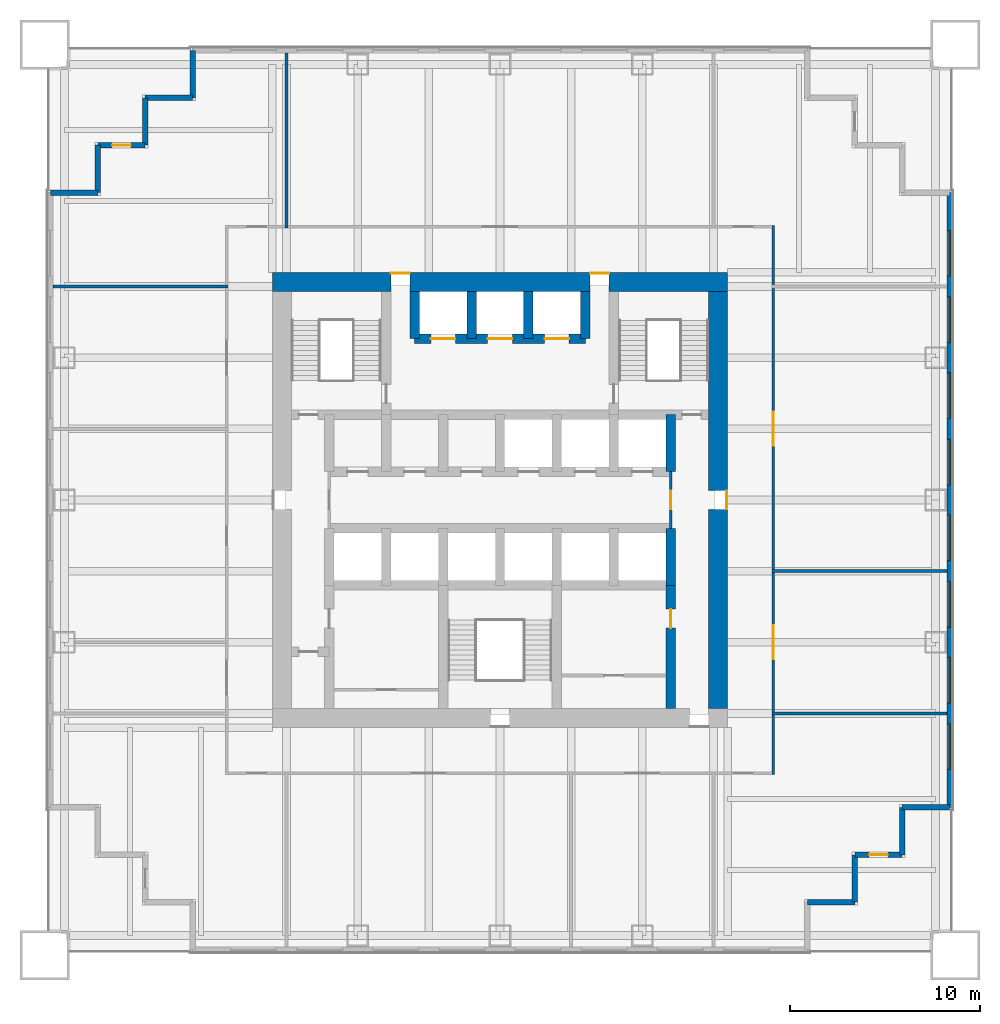
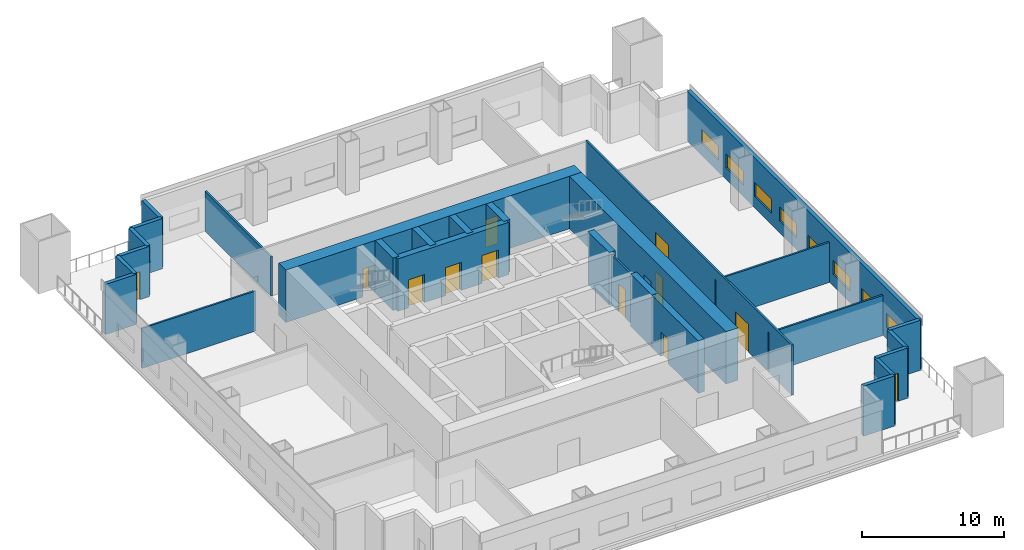
# One storey, part 4 of 6: 28 walls, 12 doors, 8 windows, 20 openings.
"""IFC4 building model written with IfcOpenShell, lengths in metres."""

import ifcopenshell
import ifcopenshell.guid

model = None  # the IFC model being written
_history = None  # IfcOwnerHistory: only IFC2X3 demands one
_inside = {}  # id of a spatial element -> (the spatial element, [elements in it])
_under = {}  # id of a project, library or spatial element -> (it, [spatial elements below it])
_declared = {}  # id of a project -> (the project, [libraries it declares])
_typed = {}  # id of a type object -> (the type object, [elements of that type])
_made_of = {}  # id of a material, layer set ... -> (it, [elements and type objects made of it])


def new_model(schema):
    """Start an empty IFC model of exactly this schema.

    Asked for "IFC4X3", IfcOpenShell would pick the latest addendum, in which some entities
    have other attributes; the version numbers below select the first issue.
    IFC2X3 requires an IfcOwnerHistory on every rooted entity: one is made here for all.
    """
    global model, _history
    if schema == "IFC4X3":
        model = ifcopenshell.file(schema_version=(4, 3, 0, 0))
    else:
        model = ifcopenshell.file(schema=schema)
    _inside.clear()
    _under.clear()
    _declared.clear()
    _typed.clear()
    _made_of.clear()
    _history = None
    if model.schema == "IFC2X3":
        org = make("IfcOrganization", Name="unknown")
        user = make(
            "IfcPersonAndOrganization",
            ThePerson=make("IfcPerson", FamilyName="unknown"),
            TheOrganization=org,
        )
        app = make(
            "IfcApplication",
            ApplicationDeveloper=org,
            Version="unknown",
            ApplicationFullName="unknown",
            ApplicationIdentifier="unknown",
        )
        _history = make(
            "IfcOwnerHistory",
            OwningUser=user,
            OwningApplication=app,
            ChangeAction="ADDED",
            CreationDate=0,
        )
    return model


def make(cls, **values):
    """One entity of the class cls with the attributes given. An attribute that is None is left unset."""
    return model.create_entity(
        cls, **{name: value for name, value in values.items() if value is not None}
    )


def rooted(cls, **values):
    """An entity with a GlobalId (a new one), such as an element, a storey or a relation."""
    return make(cls, GlobalId=ifcopenshell.guid.new(), OwnerHistory=_history, **values)


def si_unit(unit_type, name, prefix=None):
    """IfcSIUnit, for example si_unit("LENGTHUNIT", "METRE", prefix="MILLI")."""
    return make("IfcSIUnit", UnitType=unit_type, Prefix=prefix, Name=name)


def assignment(units):
    """IfcUnitAssignment: the units of a project."""
    return None if units is None else make("IfcUnitAssignment", Units=units)


def point(xyz):
    """IfcCartesianPoint."""
    return None if xyz is None else make("IfcCartesianPoint", Coordinates=xyz)


def direction(xyz):
    """IfcDirection."""
    return None if xyz is None else make("IfcDirection", DirectionRatios=xyz)


def frame(location, z_axis=None, x_axis=None):
    """IfcAxis2Placement3D, a coordinate frame: its origin and axes. An axis left out is left unset."""
    return make(
        "IfcAxis2Placement3D",
        Location=point(location),
        Axis=direction(z_axis),
        RefDirection=direction(x_axis),
    )


def frame_2d(location, x_axis=None):
    """IfcAxis2Placement2D, a coordinate frame in the plane: its origin and x axis."""
    return make(
        "IfcAxis2Placement2D", Location=point(location), RefDirection=direction(x_axis)
    )


def origin():
    """The frame at (0, 0, 0) with its axes left unset."""
    return frame((0.0, 0.0, 0.0))


def place(relative_to, where):
    """IfcLocalPlacement: puts the frame where relative to a parent placement (None: the world)."""
    return make(
        "IfcLocalPlacement", PlacementRelTo=relative_to, RelativePlacement=where
    )


def context(
    kind, dimensions, precision=None, world=None, true_north=None, identifier=None
):
    """IfcGeometricRepresentationContext, for example the 3D "Model" context."""
    return make(
        "IfcGeometricRepresentationContext",
        ContextIdentifier=identifier,
        ContextType=kind,
        CoordinateSpaceDimension=dimensions,
        Precision=precision,
        WorldCoordinateSystem=world,
        TrueNorth=true_north,
    )


def subcontext(parent, identifier, kind, view, scale=None):
    """IfcGeometricRepresentationSubContext, for example "Body" below "Model"."""
    return make(
        "IfcGeometricRepresentationSubContext",
        ContextIdentifier=identifier,
        ContextType=kind,
        ParentContext=parent,
        TargetScale=scale,
        TargetView=view,
    )


def project(units=None, contexts=None):
    """IfcProject with its units and contexts."""
    return rooted(
        "IfcProject",
        Name="project",
        RepresentationContexts=contexts,
        UnitsInContext=assignment(units),
    )


def spatial(cls, under=None, at=None, **own):
    """A site, building, storey or space (cls), placed at a placement, below another one or the project."""
    s = rooted(cls, ObjectPlacement=at, **own)
    if under is not None:
        _under.setdefault(under.id(), (under, []))[1].append(s)
    return s


def profile(cls, at=None, kind="AREA", **sizes):
    """A parametric profile (cls). Its sizes go by their IFC names, for example OverallWidth=200.0."""
    return make(cls, ProfileType=kind, Position=at, **sizes)


def rectangle(**sizes):
    """IfcRectangleProfileDef."""
    return profile("IfcRectangleProfileDef", **sizes)


def extrude(swept, where, along, depth):
    """IfcExtrudedAreaSolid: the profile swept, set in the frame where, extruded along a direction by depth."""
    return make(
        "IfcExtrudedAreaSolid",
        SweptArea=swept,
        Position=where,
        ExtrudedDirection=direction(along),
        Depth=depth,
    )


def shape(context_of_items, identifier, shape_type, items):
    """IfcShapeRepresentation: the items that make up one representation, for example the "Body"."""
    return make(
        "IfcShapeRepresentation",
        ContextOfItems=context_of_items,
        RepresentationIdentifier=identifier,
        RepresentationType=shape_type,
        Items=items,
    )


def material(Name=None, Category=None):
    """IfcMaterial."""
    return make("IfcMaterial", Name=Name, Category=Category)


def layer(
    of_material, thickness, ventilated=None, Name=None, Category=None, Priority=None
):
    """IfcMaterialLayer: one layer of a wall or slab, of a material (None: an air gap)."""
    return make(
        "IfcMaterialLayer",
        Material=of_material,
        LayerThickness=thickness,
        IsVentilated=ventilated,
        Name=Name,
        Category=Category,
        Priority=Priority,
    )


def layer_set(layers, Name=None):
    """IfcMaterialLayerSet."""
    return make("IfcMaterialLayerSet", MaterialLayers=layers, LayerSetName=Name)


def made_of(thing, what):
    """Note that an element or type object is made of a material, layer set ...; save() writes the relation."""
    if what is not None:
        _made_of.setdefault(what.id(), (what, []))[1].append(thing)
    return thing


def type_object(cls, material=None, **own):
    """A type object (cls), such as IfcWallType, which elements share."""
    return made_of(rooted(cls, **own), material)


def element(
    cls,
    number,
    at=None,
    inside=None,
    cuts=None,
    type_object=None,
    material=None,
    context=None,
    identifier="Body",
    shape_type=None,
    held_by="IfcProductDefinitionShape",
    body=None,
    shapes=None,
    **own,
):
    """One element of the class cls, such as IfcWall. Its Tag is "e" and its number.

    at: its placement. inside: the storey or other place that contains it. cuts: it is an
    opening in that element (IfcRelVoidsElement). A single representation is given by context,
    identifier, shape_type and body (its items); several are given by shapes. held_by: the class
    of the entity that holds the representations. save() writes the other relations.
    """
    e = rooted(cls, Tag="e%d" % number, ObjectPlacement=at, **own)
    if body is not None:
        shapes = [shape(context, identifier, shape_type, body)]
    if shapes is not None:
        e.Representation = make(held_by, Representations=shapes)
    if inside is not None:
        _inside.setdefault(inside.id(), (inside, []))[1].append(e)
    if cuts is not None:
        rooted(
            "IfcRelVoidsElement", RelatingBuildingElement=cuts, RelatedOpeningElement=e
        )
    if type_object is not None:
        _typed.setdefault(type_object.id(), (type_object, []))[1].append(e)
    return made_of(e, material)


def fill(opening, filler):
    """IfcRelFillsElement: the door or window that sits in an opening."""
    return rooted(
        "IfcRelFillsElement",
        RelatingOpeningElement=opening,
        RelatedBuildingElement=filler,
    )


def aggregate(whole, parts):
    """IfcRelAggregates: a whole, such as a stair, and the parts it consists of."""
    return rooted("IfcRelAggregates", RelatingObject=whole, RelatedObjects=parts)


def save(model, path):
    """Write the relations noted so far, then the file.

    IfcRelAggregates (storeys below a building ...), IfcRelContainedInSpatialStructure (elements
    in a storey), IfcRelDefinesByType, IfcRelAssociatesMaterial and IfcRelDeclares: one each for
    every whole, place, type object, material and project.
    """
    for whole, parts in _under.values():
        aggregate(whole, parts)
    for where, things in _inside.values():
        rooted(
            "IfcRelContainedInSpatialStructure",
            RelatedElements=things,
            RelatingStructure=where,
        )
    for kind, things in _typed.values():
        rooted("IfcRelDefinesByType", RelatedObjects=things, RelatingType=kind)
    for what, things in _made_of.values():
        rooted("IfcRelAssociatesMaterial", RelatedObjects=things, RelatingMaterial=what)
    for by, libraries in _declared.values():
        rooted("IfcRelDeclares", RelatingContext=by, RelatedDefinitions=libraries)
    model.write(path)


model = new_model("IFC4")

# Units and contexts
model_context = context("Model", 3, precision=1e-05, world=origin(), true_north=direction((0.0, 1.0)))
body_context = subcontext(model_context, "Body", "Model", "MODEL_VIEW")
ifc_project = project(units=[si_unit("LENGTHUNIT", "METRE"), si_unit("AREAUNIT", "SQUARE_METRE"), si_unit("VOLUMEUNIT", "CUBIC_METRE"), si_unit("PLANEANGLEUNIT", "RADIAN"), si_unit("MASSUNIT", "GRAM", prefix="KILO")], contexts=[model_context])

# Site, building, storey
site_placement = place(None, origin())
site = spatial("IfcSite", under=ifc_project, at=site_placement, CompositionType="ELEMENT")
building_placement = place(site_placement, origin())
building = spatial("IfcBuilding", under=site, at=building_placement, Name="Tarangal Relay Tower", CompositionType="ELEMENT")
storey_placement = place(building_placement, frame((0.0, 0.0, 140.39990234375)))
storey = spatial("IfcBuildingStorey", under=building, at=storey_placement, Name="L28", CompositionType="ELEMENT", Elevation=140.39990234375)

# Wall, openings, doors
ifc_material_1 = material(Name="Concrete fc' 60 MPa", Category="concrete")
ifc_layer_1 = layer(ifc_material_1, 0.5)
ifc_layer_set_1 = layer_set([ifc_layer_1], Name="Core inner wall 500")
wall_type_1 = type_object("IfcWallType", Name="Core inner wall 500", PredefinedType="SHEAR", material=ifc_layer_set_1)
wall_1_placement = place(storey_placement, frame((-4.5, 8.5, 0.0), z_axis=(0.0, 0.0, 1.0), x_axis=(1.0, 0.0, 0.0)))
wall_1 = element("IfcWall", 1, at=wall_1_placement, inside=storey, type_object=wall_type_1, Name="Core wall Y85 L28", PredefinedType="SHEAR", context=body_context, shape_type="SweptSolid", body=[
    extrude(rectangle(XDim=9.0, YDim=0.5, at=frame_2d((4.5, 0.0))), origin(), (0.0, 0.0, 1.0), 4.5),
])
opening_1_placement = place(wall_1_placement, frame((0.85009765625, 0.0, 0.0)))
opening_1 = element("IfcOpeningElement", 2, at=opening_1_placement, cuts=wall_1, Name="Opening LD2", PredefinedType="OPENING", context=body_context, shape_type="SweptSolid", body=[
    extrude(rectangle(XDim=1.300048828125, YDim=2.39990234375, at=frame_2d((0.64990234375, 1.199951171875))), frame((0.0, 0.260009765625, 0.0), z_axis=(0.0, -1.0, 0.0), x_axis=(1.0, 0.0, 0.0)), (0.0, 0.0, 1.0), 0.52001953125),
])
opening_2_placement = place(wall_1_placement, frame((6.85009765625, 0.0, 0.0)))
opening_2 = element("IfcOpeningElement", 3, at=opening_2_placement, cuts=wall_1, Name="Opening LD2", PredefinedType="OPENING", context=body_context, shape_type="SweptSolid", body=[
    extrude(rectangle(XDim=1.300048828125, YDim=2.39990234375, at=frame_2d((0.64990234375, 1.199951171875))), frame((0.0, 0.260009765625, 0.0), z_axis=(0.0, -1.0, 0.0), x_axis=(1.0, 0.0, 0.0)), (0.0, 0.0, 1.0), 0.52001953125),
])
opening_3_placement = place(wall_1_placement, frame((3.85009765625, 0.0, 0.0)))
opening_3 = element("IfcOpeningElement", 4, at=opening_3_placement, cuts=wall_1, Name="Opening LD2", PredefinedType="OPENING", context=body_context, shape_type="SweptSolid", body=[
    extrude(rectangle(XDim=1.300048828125, YDim=2.39990234375, at=frame_2d((0.64990234375, 1.199951171875))), frame((0.0, 0.260009765625, 0.0), z_axis=(0.0, -1.0, 0.0), x_axis=(1.0, 0.0, 0.0)), (0.0, 0.0, 1.0), 0.52001953125),
])
ifc_material_2 = material(Name="Steel door with hardwood frame", Category="steel")
door_type_1 = type_object("IfcDoorType", Name="Lift landing door 1300 x 2400", OperationType="SLIDING_TO_LEFT", PredefinedType="DOOR", material=ifc_material_2)
door_1_placement = place(opening_1_placement, origin())
door_1 = element("IfcDoor", 5, at=door_1_placement, inside=storey, type_object=door_type_1, Name="Lift FF1 landing door L28", OperationType="SLIDING_TO_LEFT", OverallHeight=2.39990234375, OverallWidth=1.300048828125, PredefinedType="DOOR", context=body_context, shape_type="SweptSolid", body=[
    extrude(rectangle(XDim=1.300048828125, YDim=2.39990234375, at=frame_2d((0.64990234375, 1.199951171875))), frame((0.0, 0.02490234375, 0.0), z_axis=(0.0, -1.0, 0.0), x_axis=(1.0, 0.0, 0.0)), (0.0, 0.0, 1.0), 0.050048828125),
])
fill(opening_1, door_1)
door_2_placement = place(opening_2_placement, origin())
door_2 = element("IfcDoor", 6, at=door_2_placement, inside=storey, type_object=door_type_1, Name="Lift FF2 landing door L28", OperationType="SLIDING_TO_LEFT", OverallHeight=2.39990234375, OverallWidth=1.300048828125, PredefinedType="DOOR", context=body_context, shape_type="SweptSolid", body=[
    extrude(rectangle(XDim=1.300048828125, YDim=2.39990234375, at=frame_2d((0.64990234375, 1.199951171875))), frame((0.0, 0.02490234375, 0.0), z_axis=(0.0, -1.0, 0.0), x_axis=(1.0, 0.0, 0.0)), (0.0, 0.0, 1.0), 0.050048828125),
])
fill(opening_2, door_2)
door_3_placement = place(opening_3_placement, origin())
door_3 = element("IfcDoor", 7, at=door_3_placement, inside=storey, type_object=door_type_1, Name="Lift SV1 landing door L28", OperationType="SLIDING_TO_LEFT", OverallHeight=2.39990234375, OverallWidth=1.300048828125, PredefinedType="DOOR", context=body_context, shape_type="SweptSolid", body=[
    extrude(rectangle(XDim=1.300048828125, YDim=2.39990234375, at=frame_2d((0.64990234375, 1.199951171875))), frame((0.0, 0.02490234375, 0.0), z_axis=(0.0, -1.0, 0.0), x_axis=(1.0, 0.0, 0.0)), (0.0, 0.0, 1.0), 0.050048828125),
])
fill(opening_3, door_3)

# Walls
for number, where, z_axis, x_axis, name in (
    (8, (9.0, 1.5, 0.0), (0.0, 0.0, 1.0), (0.0, 1.0, 0.0), "Core wall X9N L28"),
    (9, (9.0, -4.5, 0.0), (0.0, 0.0, 1.0), (0.0, 1.0, 0.0), "Core wall X9S L28"),
):
    element("IfcWall", number, at=place(storey_placement, frame(where, z_axis=z_axis, x_axis=x_axis)), inside=storey, type_object=wall_type_1, Name=name, PredefinedType="SHEAR", context=body_context, shape_type="SweptSolid", body=[
        extrude(rectangle(XDim=3.0, YDim=0.5, at=frame_2d((1.5, 0.0))), origin(), (0.0, 0.0, 1.0), 4.5),
    ])
for number, where, z_axis, x_axis, name in (
    (10, (-4.5, 8.5, 0.0), (0.0, 0.0, 1.0), (0.0, 1.0, 0.0), "Core wall XM45 L28"),
    (11, (4.5, 8.5, 0.0), (0.0, 0.0, 1.0), (0.0, 1.0, 0.0), "Core wall X45 L28"),
    (12, (-1.5, 8.5, 0.0), (0.0, 0.0, 1.0), (0.0, 1.0, 0.0), "Core wall XM15 L28"),
    (13, (1.5, 8.5, 0.0), (0.0, 0.0, 1.0), (0.0, 1.0, 0.0), "Core wall X15 L28"),
):
    element("IfcWall", number, at=place(storey_placement, frame(where, z_axis=z_axis, x_axis=x_axis)), inside=storey, type_object=wall_type_1, Name=name, PredefinedType="SHEAR", context=body_context, shape_type="SweptSolid", body=[
        extrude(rectangle(XDim=2.5, YDim=0.5, at=frame_2d((1.25, 0.0))), origin(), (0.0, 0.0, 1.0), 4.5),
    ])

# Wall, opening, door
wall_2_placement = place(storey_placement, frame((9.0, -11.0, 0.0), z_axis=(0.0, 0.0, 1.0), x_axis=(0.0, 1.0, 0.0)))
wall_2 = element("IfcWall", 14, at=wall_2_placement, inside=storey, type_object=wall_type_1, Name="Core wall X9W L28", PredefinedType="SHEAR", context=body_context, shape_type="SweptSolid", body=[
    extrude(rectangle(XDim=6.5, YDim=0.5, at=frame_2d((3.25, 0.0))), origin(), (0.0, 0.0, 1.0), 4.5),
])
opening_4_placement = place(wall_2_placement, frame((4.25, 0.0, 0.0)))
opening_4 = element("IfcOpeningElement", 15, at=opening_4_placement, cuts=wall_2, Name="Opening D1", PredefinedType="OPENING", context=body_context, shape_type="SweptSolid", body=[
    extrude(rectangle(XDim=1.0, YDim=2.10009765625, at=frame_2d((0.5, 1.050048828125))), frame((0.0, 0.260009765625, 0.0), z_axis=(0.0, -1.0, 0.0), x_axis=(1.0, 0.0, 0.0)), (0.0, 0.0, 1.0), 0.52001953125),
])
ifc_material_3 = material(Name="Hardwood door", Category="wood")
door_type_2 = type_object("IfcDoorType", Name="WC door 1000 x 2100", OperationType="SINGLE_SWING_LEFT", PredefinedType="DOOR", material=ifc_material_3)
door_4_placement = place(opening_4_placement, origin())
door_4 = element("IfcDoor", 16, at=door_4_placement, inside=storey, type_object=door_type_2, Name="Female WC door L28", OperationType="SINGLE_SWING_LEFT", OverallHeight=2.10009765625, OverallWidth=1.0, PredefinedType="DOOR", context=body_context, shape_type="SweptSolid", body=[
    extrude(rectangle(XDim=1.0, YDim=2.10009765625, at=frame_2d((0.5, 1.050048828125))), frame((0.0, 0.02490234375, 0.0), z_axis=(0.0, -1.0, 0.0), x_axis=(1.0, 0.0, 0.0)), (0.0, 0.0, 1.0), 0.050048828125),
])
fill(opening_4, door_4)

# Wall, openings, doors
ifc_layer_2 = layer(ifc_material_1, 1.0)
ifc_layer_set_2 = layer_set([ifc_layer_2], Name="Core wall 1000")
wall_type_2 = type_object("IfcWallType", Name="Core wall 1000", PredefinedType="SHEAR", material=ifc_layer_set_2)
wall_3_placement = place(storey_placement, frame((-12.0, 11.5, 0.0), z_axis=(0.0, 0.0, 1.0), x_axis=(1.0, 0.0, 0.0)))
wall_3 = element("IfcWall", 17, at=wall_3_placement, inside=storey, type_object=wall_type_2, Name="Core wall N L28", PredefinedType="SHEAR", context=body_context, shape_type="SweptSolid", body=[
    extrude(rectangle(XDim=24.0, YDim=1.0, at=frame_2d((12.0, 0.0))), origin(), (0.0, 0.0, 1.0), 4.5),
])
opening_5_placement = place(wall_3_placement, frame((6.25, 0.0, 0.0)))
opening_5 = element("IfcOpeningElement", 18, at=opening_5_placement, cuts=wall_3, Name="Opening FD3", PredefinedType="OPENING", context=body_context, shape_type="SweptSolid", body=[
    extrude(rectangle(XDim=1.0, YDim=2.39990234375, at=frame_2d((0.5, 1.199951171875))), frame((0.0, 0.510009765625, 0.0), z_axis=(0.0, -1.0, 0.0), x_axis=(1.0, 0.0, 0.0)), (0.0, 0.0, 1.0), 1.02001953125),
])
opening_6_placement = place(wall_3_placement, frame((16.75, 0.0, 0.0)))
opening_6 = element("IfcOpeningElement", 19, at=opening_6_placement, cuts=wall_3, Name="Opening FD3", PredefinedType="OPENING", context=body_context, shape_type="SweptSolid", body=[
    extrude(rectangle(XDim=1.0, YDim=2.39990234375, at=frame_2d((0.5, 1.199951171875))), frame((0.0, 0.510009765625, 0.0), z_axis=(0.0, -1.0, 0.0), x_axis=(1.0, 0.0, 0.0)), (0.0, 0.0, 1.0), 1.02001953125),
])
door_type_3 = type_object("IfcDoorType", Name="Fire door 1000 x 2400 core entry", OperationType="SINGLE_SWING_RIGHT", PredefinedType="DOOR", material=ifc_material_2)
door_5_placement = place(opening_5_placement, origin())
door_5 = element("IfcDoor", 20, at=door_5_placement, inside=storey, type_object=door_type_3, Name="Core entry door north west L28", OperationType="SINGLE_SWING_RIGHT", OverallHeight=2.39990234375, OverallWidth=1.0, PredefinedType="DOOR", context=body_context, shape_type="SweptSolid", body=[
    extrude(rectangle(XDim=1.0, YDim=2.39990234375, at=frame_2d((0.5, 1.199951171875))), frame((0.0, 0.48486328125, 0.0), z_axis=(0.0, -1.0, 0.0), x_axis=(1.0, 0.0, 0.0)), (0.0, 0.0, 1.0), 0.050048828125),
])
fill(opening_5, door_5)
door_6_placement = place(opening_6_placement, origin())
door_6 = element("IfcDoor", 21, at=door_6_placement, inside=storey, type_object=door_type_3, Name="Core entry door north east L28", OperationType="SINGLE_SWING_RIGHT", OverallHeight=2.39990234375, OverallWidth=1.0, PredefinedType="DOOR", context=body_context, shape_type="SweptSolid", body=[
    extrude(rectangle(XDim=1.0, YDim=2.39990234375, at=frame_2d((0.5, 1.199951171875))), frame((0.0, 0.48486328125, 0.0), z_axis=(0.0, -1.0, 0.0), x_axis=(1.0, 0.0, 0.0)), (0.0, 0.0, 1.0), 0.050048828125),
])
fill(opening_6, door_6)

# Wall, opening, door
wall_4_placement = place(storey_placement, frame((11.5, 11.0, 0.0), z_axis=(0.0, 0.0, 1.0), x_axis=(0.0, -1.0, 0.0)))
wall_4 = element("IfcWall", 22, at=wall_4_placement, inside=storey, type_object=wall_type_2, Name="Core wall E L28", PredefinedType="SHEAR", context=body_context, shape_type="SweptSolid", body=[
    extrude(rectangle(XDim=22.0, YDim=1.0, at=frame_2d((11.0, 0.0))), origin(), (0.0, 0.0, 1.0), 4.5),
])
opening_7_placement = place(wall_4_placement, frame((10.5, 0.0, 0.0)))
opening_7 = element("IfcOpeningElement", 23, at=opening_7_placement, cuts=wall_4, Name="Opening FD3", PredefinedType="OPENING", context=body_context, shape_type="SweptSolid", body=[
    extrude(rectangle(XDim=1.0, YDim=2.39990234375, at=frame_2d((0.5, 1.199951171875))), frame((0.0, 0.510009765625, 0.0), z_axis=(0.0, -1.0, 0.0), x_axis=(1.0, 0.0, 0.0)), (0.0, 0.0, 1.0), 1.02001953125),
])
door_7_placement = place(opening_7_placement, origin())
door_7 = element("IfcDoor", 24, at=door_7_placement, inside=storey, type_object=door_type_3, Name="Core entry door east L28", OperationType="SINGLE_SWING_RIGHT", OverallHeight=2.39990234375, OverallWidth=1.0, PredefinedType="DOOR", context=body_context, shape_type="SweptSolid", body=[
    extrude(rectangle(XDim=1.0, YDim=2.39990234375, at=frame_2d((0.5, 1.199951171875))), frame((0.0, 0.48486328125, 0.0), z_axis=(0.0, -1.0, 0.0), x_axis=(1.0, 0.0, 0.0)), (0.0, 0.0, 1.0), 0.050048828125),
])
fill(opening_7, door_7)

# Wall, openings, windows
ifc_material_4 = material(Name="Insulated precast concrete fc' 40 MPa", Category="concrete")
ifc_layer_3 = layer(ifc_material_4, 0.300048828125)
ifc_layer_set_3 = layer_set([ifc_layer_3], Name="Insulated precast concrete fc' 40 MPa")
wall_type_3 = type_object("IfcWallType", Name="Facade wall precast 300", PredefinedType="SOLIDWALL", material=ifc_layer_set_3)
wall_5_placement = place(storey_placement, frame((23.699951171875, 16.199951171875, 0.0), z_axis=(0.0, 0.0, 1.0), x_axis=(0.0, -1.0, 0.0)))
wall_5 = element("IfcWall", 25, at=wall_5_placement, inside=storey, type_object=wall_type_3, Name="Facade wall E facade L28", PredefinedType="SOLIDWALL", context=body_context, shape_type="SweptSolid", body=[
    extrude(rectangle(XDim=32.39990234375, YDim=0.300048828125, at=frame_2d((16.199951171875, 0.0))), origin(), (0.0, 0.0, 1.0), 4.300048828125),
])
opening_8_placement = place(wall_5_placement, frame((2.0, 0.0, 1.0)))
opening_8 = element("IfcOpeningElement", 26, at=opening_8_placement, cuts=wall_5, Name="Opening WN1", PredefinedType="OPENING", context=body_context, shape_type="SweptSolid", body=[
    extrude(rectangle(XDim=2.39990234375, YDim=1.199951171875, at=frame_2d((1.199951171875, 0.60009765625))), frame((0.0, 0.159912109375, 0.0), z_axis=(0.0, -1.0, 0.0), x_axis=(1.0, 0.0, 0.0)), (0.0, 0.0, 1.0), 0.320068359375),
])
opening_9_placement = place(wall_5_placement, frame((5.5, 0.0, 1.0)))
opening_9 = element("IfcOpeningElement", 27, at=opening_9_placement, cuts=wall_5, Name="Opening WN1", PredefinedType="OPENING", context=body_context, shape_type="SweptSolid", body=[
    extrude(rectangle(XDim=2.39990234375, YDim=1.199951171875, at=frame_2d((1.199951171875, 0.60009765625))), frame((0.0, 0.159912109375, 0.0), z_axis=(0.0, -1.0, 0.0), x_axis=(1.0, 0.0, 0.0)), (0.0, 0.0, 1.0), 0.320068359375),
])
opening_10_placement = place(wall_5_placement, frame((9.5, 0.0, 1.0)))
opening_10 = element("IfcOpeningElement", 28, at=opening_10_placement, cuts=wall_5, Name="Opening WN1", PredefinedType="OPENING", context=body_context, shape_type="SweptSolid", body=[
    extrude(rectangle(XDim=2.39990234375, YDim=1.199951171875, at=frame_2d((1.199951171875, 0.60009765625))), frame((0.0, 0.159912109375, 0.0), z_axis=(0.0, -1.0, 0.0), x_axis=(1.0, 0.0, 0.0)), (0.0, 0.0, 1.0), 0.320068359375),
])
opening_11_placement = place(wall_5_placement, frame((13.0, 0.0, 1.0)))
opening_11 = element("IfcOpeningElement", 29, at=opening_11_placement, cuts=wall_5, Name="Opening WN1", PredefinedType="OPENING", context=body_context, shape_type="SweptSolid", body=[
    extrude(rectangle(XDim=2.39990234375, YDim=1.199951171875, at=frame_2d((1.199951171875, 0.60009765625))), frame((0.0, 0.159912109375, 0.0), z_axis=(0.0, -1.0, 0.0), x_axis=(1.0, 0.0, 0.0)), (0.0, 0.0, 1.0), 0.320068359375),
])
opening_12_placement = place(wall_5_placement, frame((17.0, 0.0, 1.0)))
opening_12 = element("IfcOpeningElement", 30, at=opening_12_placement, cuts=wall_5, Name="Opening WN1", PredefinedType="OPENING", context=body_context, shape_type="SweptSolid", body=[
    extrude(rectangle(XDim=2.39990234375, YDim=1.199951171875, at=frame_2d((1.199951171875, 0.60009765625))), frame((0.0, 0.159912109375, 0.0), z_axis=(0.0, -1.0, 0.0), x_axis=(1.0, 0.0, 0.0)), (0.0, 0.0, 1.0), 0.320068359375),
])
opening_13_placement = place(wall_5_placement, frame((20.5, 0.0, 1.0)))
opening_13 = element("IfcOpeningElement", 31, at=opening_13_placement, cuts=wall_5, Name="Opening WN1", PredefinedType="OPENING", context=body_context, shape_type="SweptSolid", body=[
    extrude(rectangle(XDim=2.39990234375, YDim=1.199951171875, at=frame_2d((1.199951171875, 0.60009765625))), frame((0.0, 0.159912109375, 0.0), z_axis=(0.0, -1.0, 0.0), x_axis=(1.0, 0.0, 0.0)), (0.0, 0.0, 1.0), 0.320068359375),
])
opening_14_placement = place(wall_5_placement, frame((24.5, 0.0, 1.0)))
opening_14 = element("IfcOpeningElement", 32, at=opening_14_placement, cuts=wall_5, Name="Opening WN1", PredefinedType="OPENING", context=body_context, shape_type="SweptSolid", body=[
    extrude(rectangle(XDim=2.39990234375, YDim=1.199951171875, at=frame_2d((1.199951171875, 0.60009765625))), frame((0.0, 0.159912109375, 0.0), z_axis=(0.0, -1.0, 0.0), x_axis=(1.0, 0.0, 0.0)), (0.0, 0.0, 1.0), 0.320068359375),
])
opening_15_placement = place(wall_5_placement, frame((28.0, 0.0, 1.0)))
opening_15 = element("IfcOpeningElement", 33, at=opening_15_placement, cuts=wall_5, Name="Opening WN1", PredefinedType="OPENING", context=body_context, shape_type="SweptSolid", body=[
    extrude(rectangle(XDim=2.39990234375, YDim=1.199951171875, at=frame_2d((1.199951171875, 0.60009765625))), frame((0.0, 0.159912109375, 0.0), z_axis=(0.0, -1.0, 0.0), x_axis=(1.0, 0.0, 0.0)), (0.0, 0.0, 1.0), 0.320068359375),
])
ifc_material_5 = material(Name="Dark tinted double glazing in black aluminium frame", Category="aluminium")
window_type = type_object("IfcWindowType", Name="Ribbon window 2400 x 1200", PartitioningType="SINGLE_PANEL", PredefinedType="WINDOW", material=ifc_material_5)
window_1_placement = place(opening_8_placement, origin())
window_1 = element("IfcWindow", 34, at=window_1_placement, inside=storey, type_object=window_type, Name="Ribbon window WN1 E facade L28", OverallHeight=1.199951171875, OverallWidth=2.39990234375, PartitioningType="SINGLE_PANEL", PredefinedType="WINDOW", context=body_context, shape_type="SweptSolid", body=[
    extrude(rectangle(XDim=2.39990234375, YDim=1.199951171875, at=frame_2d((1.199951171875, 0.60009765625))), frame((0.0, 0.030029296875, 0.0), z_axis=(0.0, -1.0, 0.0), x_axis=(1.0, 0.0, 0.0)), (0.0, 0.0, 1.0), 0.06005859375),
])
fill(opening_8, window_1)
window_2_placement = place(opening_9_placement, origin())
window_2 = element("IfcWindow", 35, at=window_2_placement, inside=storey, type_object=window_type, Name="Ribbon window WN1 E facade L28", OverallHeight=1.199951171875, OverallWidth=2.39990234375, PartitioningType="SINGLE_PANEL", PredefinedType="WINDOW", context=body_context, shape_type="SweptSolid", body=[
    extrude(rectangle(XDim=2.39990234375, YDim=1.199951171875, at=frame_2d((1.199951171875, 0.60009765625))), frame((0.0, 0.030029296875, 0.0), z_axis=(0.0, -1.0, 0.0), x_axis=(1.0, 0.0, 0.0)), (0.0, 0.0, 1.0), 0.06005859375),
])
fill(opening_9, window_2)
window_3_placement = place(opening_10_placement, origin())
window_3 = element("IfcWindow", 36, at=window_3_placement, inside=storey, type_object=window_type, Name="Ribbon window WN1 E facade L28", OverallHeight=1.199951171875, OverallWidth=2.39990234375, PartitioningType="SINGLE_PANEL", PredefinedType="WINDOW", context=body_context, shape_type="SweptSolid", body=[
    extrude(rectangle(XDim=2.39990234375, YDim=1.199951171875, at=frame_2d((1.199951171875, 0.60009765625))), frame((0.0, 0.030029296875, 0.0), z_axis=(0.0, -1.0, 0.0), x_axis=(1.0, 0.0, 0.0)), (0.0, 0.0, 1.0), 0.06005859375),
])
fill(opening_10, window_3)
window_4_placement = place(opening_11_placement, origin())
window_4 = element("IfcWindow", 37, at=window_4_placement, inside=storey, type_object=window_type, Name="Ribbon window WN1 E facade L28", OverallHeight=1.199951171875, OverallWidth=2.39990234375, PartitioningType="SINGLE_PANEL", PredefinedType="WINDOW", context=body_context, shape_type="SweptSolid", body=[
    extrude(rectangle(XDim=2.39990234375, YDim=1.199951171875, at=frame_2d((1.199951171875, 0.60009765625))), frame((0.0, 0.030029296875, 0.0), z_axis=(0.0, -1.0, 0.0), x_axis=(1.0, 0.0, 0.0)), (0.0, 0.0, 1.0), 0.06005859375),
])
fill(opening_11, window_4)
window_5_placement = place(opening_12_placement, origin())
window_5 = element("IfcWindow", 38, at=window_5_placement, inside=storey, type_object=window_type, Name="Ribbon window WN1 E facade L28", OverallHeight=1.199951171875, OverallWidth=2.39990234375, PartitioningType="SINGLE_PANEL", PredefinedType="WINDOW", context=body_context, shape_type="SweptSolid", body=[
    extrude(rectangle(XDim=2.39990234375, YDim=1.199951171875, at=frame_2d((1.199951171875, 0.60009765625))), frame((0.0, 0.030029296875, 0.0), z_axis=(0.0, -1.0, 0.0), x_axis=(1.0, 0.0, 0.0)), (0.0, 0.0, 1.0), 0.06005859375),
])
fill(opening_12, window_5)
window_6_placement = place(opening_13_placement, origin())
window_6 = element("IfcWindow", 39, at=window_6_placement, inside=storey, type_object=window_type, Name="Ribbon window WN1 E facade L28", OverallHeight=1.199951171875, OverallWidth=2.39990234375, PartitioningType="SINGLE_PANEL", PredefinedType="WINDOW", context=body_context, shape_type="SweptSolid", body=[
    extrude(rectangle(XDim=2.39990234375, YDim=1.199951171875, at=frame_2d((1.199951171875, 0.60009765625))), frame((0.0, 0.030029296875, 0.0), z_axis=(0.0, -1.0, 0.0), x_axis=(1.0, 0.0, 0.0)), (0.0, 0.0, 1.0), 0.06005859375),
])
fill(opening_13, window_6)
window_7_placement = place(opening_14_placement, origin())
window_7 = element("IfcWindow", 40, at=window_7_placement, inside=storey, type_object=window_type, Name="Ribbon window WN1 E facade L28", OverallHeight=1.199951171875, OverallWidth=2.39990234375, PartitioningType="SINGLE_PANEL", PredefinedType="WINDOW", context=body_context, shape_type="SweptSolid", body=[
    extrude(rectangle(XDim=2.39990234375, YDim=1.199951171875, at=frame_2d((1.199951171875, 0.60009765625))), frame((0.0, 0.030029296875, 0.0), z_axis=(0.0, -1.0, 0.0), x_axis=(1.0, 0.0, 0.0)), (0.0, 0.0, 1.0), 0.06005859375),
])
fill(opening_14, window_7)
window_8_placement = place(opening_15_placement, origin())
window_8 = element("IfcWindow", 41, at=window_8_placement, inside=storey, type_object=window_type, Name="Ribbon window WN1 E facade L28", OverallHeight=1.199951171875, OverallWidth=2.39990234375, PartitioningType="SINGLE_PANEL", PredefinedType="WINDOW", context=body_context, shape_type="SweptSolid", body=[
    extrude(rectangle(XDim=2.39990234375, YDim=1.199951171875, at=frame_2d((1.199951171875, 0.60009765625))), frame((0.0, 0.030029296875, 0.0), z_axis=(0.0, -1.0, 0.0), x_axis=(1.0, 0.0, 0.0)), (0.0, 0.0, 1.0), 0.06005859375),
])
fill(opening_15, window_8)

# Walls
for number, where, z_axis, x_axis, name in (
    (42, (23.699951171875, -16.199951171875, 0.0), (0.0, 0.0, 1.0), (-1.0, 0.0, 0.0), "Facade wall E facade L28"),
    (43, (21.199951171875, -16.199951171875, 0.0), (0.0, 0.0, 1.0), (0.0, -1.0, 0.0), "Facade wall E facade L28"),
):
    element("IfcWall", number, at=place(storey_placement, frame(where, z_axis=z_axis, x_axis=x_axis)), inside=storey, type_object=wall_type_3, Name=name, PredefinedType="SOLIDWALL", context=body_context, shape_type="SweptSolid", body=[
        extrude(rectangle(XDim=2.5, YDim=0.300048828125, at=frame_2d((1.25, 0.0))), origin(), (0.0, 0.0, 1.0), 4.300048828125),
    ])

# Wall, opening, door
wall_6_placement = place(storey_placement, frame((21.199951171875, -18.699951171875, 0.0), z_axis=(0.0, 0.0, 1.0), x_axis=(-1.0, 0.0, 0.0)))
wall_6 = element("IfcWall", 44, at=wall_6_placement, inside=storey, type_object=wall_type_3, Name="Facade wall E facade L28", PredefinedType="SOLIDWALL", context=body_context, shape_type="SweptSolid", body=[
    extrude(rectangle(XDim=2.5, YDim=0.300048828125, at=frame_2d((1.25, 0.0))), origin(), (0.0, 0.0, 1.0), 4.300048828125),
])
opening_16_placement = place(wall_6_placement, frame((0.75, 0.0, 0.0)))
opening_16 = element("IfcOpeningElement", 45, at=opening_16_placement, cuts=wall_6, Name="Opening TD1", PredefinedType="OPENING", context=body_context, shape_type="SweptSolid", body=[
    extrude(rectangle(XDim=1.0, YDim=2.39990234375, at=frame_2d((0.5, 1.199951171875))), frame((0.0, 0.159912109375, 0.0), z_axis=(0.0, -1.0, 0.0), x_axis=(1.0, 0.0, 0.0)), (0.0, 0.0, 1.0), 0.320068359375),
])
ifc_material_6 = material(Name="Aluminium glazed door", Category="aluminium")
door_type_4 = type_object("IfcDoorType", Name="Terrace door 1000 x 2400", OperationType="SINGLE_SWING_RIGHT", PredefinedType="DOOR", material=ifc_material_6)
door_8_placement = place(opening_16_placement, origin())
door_8 = element("IfcDoor", 46, at=door_8_placement, inside=storey, type_object=door_type_4, Name="Terrace door TD1 SE L28", OperationType="SINGLE_SWING_RIGHT", OverallHeight=2.39990234375, OverallWidth=1.0, PredefinedType="DOOR", context=body_context, shape_type="SweptSolid", body=[
    extrude(rectangle(XDim=1.0, YDim=2.39990234375, at=frame_2d((0.5, 1.199951171875))), frame((0.0, 0.02490234375, 0.0), z_axis=(0.0, -1.0, 0.0), x_axis=(1.0, 0.0, 0.0)), (0.0, 0.0, 1.0), 0.050048828125),
])
fill(opening_16, door_8)

# Walls
for number, where, z_axis, x_axis, name in (
    (47, (18.699951171875, -18.699951171875, 0.0), (0.0, 0.0, 1.0), (0.0, -1.0, 0.0), "Facade wall E facade L28"),
    (48, (18.699951171875, -21.199951171875, 0.0), (0.0, 0.0, 1.0), (-1.0, 0.0, 0.0), "Facade wall E facade L28"),
    (49, (-23.699951171875, 16.199951171875, 0.0), (0.0, 0.0, 1.0), (1.0, 0.0, 0.0), "Facade wall W facade L28"),
    (50, (-21.199951171875, 16.199951171875, 0.0), (0.0, 0.0, 1.0), (0.0, 1.0, 0.0), "Facade wall W facade L28"),
):
    element("IfcWall", number, at=place(storey_placement, frame(where, z_axis=z_axis, x_axis=x_axis)), inside=storey, type_object=wall_type_3, Name=name, PredefinedType="SOLIDWALL", context=body_context, shape_type="SweptSolid", body=[
        extrude(rectangle(XDim=2.5, YDim=0.300048828125, at=frame_2d((1.25, 0.0))), origin(), (0.0, 0.0, 1.0), 4.300048828125),
    ])

# Wall, opening, door
wall_7_placement = place(storey_placement, frame((-21.199951171875, 18.699951171875, 0.0), z_axis=(0.0, 0.0, 1.0), x_axis=(1.0, 0.0, 0.0)))
wall_7 = element("IfcWall", 51, at=wall_7_placement, inside=storey, type_object=wall_type_3, Name="Facade wall W facade L28", PredefinedType="SOLIDWALL", context=body_context, shape_type="SweptSolid", body=[
    extrude(rectangle(XDim=2.5, YDim=0.300048828125, at=frame_2d((1.25, 0.0))), origin(), (0.0, 0.0, 1.0), 4.300048828125),
])
opening_17_placement = place(wall_7_placement, frame((0.75, 0.0, 0.0)))
opening_17 = element("IfcOpeningElement", 52, at=opening_17_placement, cuts=wall_7, Name="Opening TD1", PredefinedType="OPENING", context=body_context, shape_type="SweptSolid", body=[
    extrude(rectangle(XDim=1.0, YDim=2.39990234375, at=frame_2d((0.5, 1.199951171875))), frame((0.0, 0.159912109375, 0.0), z_axis=(0.0, -1.0, 0.0), x_axis=(1.0, 0.0, 0.0)), (0.0, 0.0, 1.0), 0.320068359375),
])
door_9_placement = place(opening_17_placement, origin())
door_9 = element("IfcDoor", 53, at=door_9_placement, inside=storey, type_object=door_type_4, Name="Terrace door TD1 NW L28", OperationType="SINGLE_SWING_RIGHT", OverallHeight=2.39990234375, OverallWidth=1.0, PredefinedType="DOOR", context=body_context, shape_type="SweptSolid", body=[
    extrude(rectangle(XDim=1.0, YDim=2.39990234375, at=frame_2d((0.5, 1.199951171875))), frame((0.0, 0.02490234375, 0.0), z_axis=(0.0, -1.0, 0.0), x_axis=(1.0, 0.0, 0.0)), (0.0, 0.0, 1.0), 0.050048828125),
])
fill(opening_17, door_9)

# Walls
for number, where, z_axis, x_axis, name in (
    (54, (-18.699951171875, 18.699951171875, 0.0), (0.0, 0.0, 1.0), (0.0, 1.0, 0.0), "Facade wall W facade L28"),
    (55, (-18.699951171875, 21.199951171875, 0.0), (0.0, 0.0, 1.0), (1.0, 0.0, 0.0), "Facade wall W facade L28"),
    (56, (-16.199951171875, 21.199951171875, 0.0), (0.0, 0.0, 1.0), (0.0, 1.0, 0.0), "Facade wall W facade L28"),
):
    element("IfcWall", number, at=place(storey_placement, frame(where, z_axis=z_axis, x_axis=x_axis)), inside=storey, type_object=wall_type_3, Name=name, PredefinedType="SOLIDWALL", context=body_context, shape_type="SweptSolid", body=[
        extrude(rectangle(XDim=2.5, YDim=0.300048828125, at=frame_2d((1.25, 0.0))), origin(), (0.0, 0.0, 1.0), 4.300048828125),
    ])
ifc_material_7 = material(Name="Gypsum board on steel studs", Category="steel")
ifc_layer_4 = layer(ifc_material_7, 0.14990234375)
ifc_layer_set_4 = layer_set([ifc_layer_4], Name="Partition 150")
wall_type_4 = type_object("IfcWallType", Name="Partition 150", PredefinedType="PARTITIONING", material=ifc_layer_set_4)
for number, where, z_axis, x_axis, name in (
    (57, (14.324951171875, -11.25, 0.0), (0.0, 0.0, 1.0), (1.0, 0.0, 0.0), "Partition PT1 L28"),
    (58, (14.324951171875, -3.75, 0.0), (0.0, 0.0, 1.0), (1.0, 0.0, 0.0), "Partition PT1 L28"),
    (59, (-23.550048828125, 11.25, 0.0), (0.0, 0.0, 1.0), (1.0, 0.0, 0.0), "Partition PT1 L28"),
    (60, (-11.25, 14.324951171875, 0.0), (0.0, 0.0, 1.0), (0.0, 1.0, 0.0), "Partition PT1 L28"),
):
    element("IfcWall", number, at=place(storey_placement, frame(where, z_axis=z_axis, x_axis=x_axis)), inside=storey, type_object=wall_type_4, Name=name, PredefinedType="PARTITIONING", context=body_context, shape_type="SweptSolid", body=[
        extrude(rectangle(XDim=9.22509765625, YDim=0.14990234375, at=frame_2d((4.612548828125, 0.0))), origin(), (0.0, 0.0, 1.0), 3.431396484375),
    ])

# Wall, openings, doors
wall_8_placement = place(storey_placement, frame((14.39990234375, -14.47509765625, 0.0), z_axis=(0.0, 0.0, 1.0), x_axis=(0.0, 1.0, 0.0)))
wall_8 = element("IfcWall", 61, at=wall_8_placement, inside=storey, type_object=wall_type_4, Name="Partition PT1 L28", PredefinedType="PARTITIONING", context=body_context, shape_type="SweptSolid", body=[
    extrude(rectangle(XDim=28.9501953125, YDim=0.14990234375, at=frame_2d((14.47509765625, 0.0))), origin(), (0.0, 0.0, 1.0), 4.300048828125),
])
opening_18_placement = place(wall_8_placement, frame((17.324951171875, 0.0, 0.0)))
opening_18 = element("IfcOpeningElement", 62, at=opening_18_placement, cuts=wall_8, Name="Opening DD1", PredefinedType="OPENING", context=body_context, shape_type="SweptSolid", body=[
    extrude(rectangle(XDim=1.800048828125, YDim=2.39990234375, at=frame_2d((0.89990234375, 1.199951171875))), frame((0.0, 0.0849609375, 0.0), z_axis=(0.0, -1.0, 0.0), x_axis=(1.0, 0.0, 0.0)), (0.0, 0.0, 1.0), 0.169921875),
])
opening_19_placement = place(wall_8_placement, frame((6.074951171875, 0.0, 0.0)))
opening_19 = element("IfcOpeningElement", 63, at=opening_19_placement, cuts=wall_8, Name="Opening DD1", PredefinedType="OPENING", context=body_context, shape_type="SweptSolid", body=[
    extrude(rectangle(XDim=1.800048828125, YDim=2.39990234375, at=frame_2d((0.89990234375, 1.199951171875))), frame((0.0, 0.0849609375, 0.0), z_axis=(0.0, -1.0, 0.0), x_axis=(1.0, 0.0, 0.0)), (0.0, 0.0, 1.0), 0.169921875),
])
door_type_5 = type_object("IfcDoorType", Name="Equipment double door 1800 x 2400", OperationType="DOUBLE_DOOR_SINGLE_SWING", PredefinedType="DOOR", material=ifc_material_2)
door_10_placement = place(opening_18_placement, origin())
door_10 = element("IfcDoor", 64, at=door_10_placement, inside=storey, type_object=door_type_5, Name="Door DD1 to telecom equipment room L28-03", OperationType="DOUBLE_DOOR_SINGLE_SWING", OverallHeight=2.39990234375, OverallWidth=1.800048828125, PredefinedType="DOOR", context=body_context, shape_type="SweptSolid", body=[
    extrude(rectangle(XDim=1.800048828125, YDim=2.39990234375, at=frame_2d((0.89990234375, 1.199951171875))), frame((0.0, 0.02490234375, 0.0), z_axis=(0.0, -1.0, 0.0), x_axis=(1.0, 0.0, 0.0)), (0.0, 0.0, 1.0), 0.050048828125),
])
fill(opening_18, door_10)
door_11_placement = place(opening_19_placement, origin())
door_11 = element("IfcDoor", 65, at=door_11_placement, inside=storey, type_object=door_type_5, Name="Door DD1 to fibre splice room L28-04", OperationType="DOUBLE_DOOR_SINGLE_SWING", OverallHeight=2.39990234375, OverallWidth=1.800048828125, PredefinedType="DOOR", context=body_context, shape_type="SweptSolid", body=[
    extrude(rectangle(XDim=1.800048828125, YDim=2.39990234375, at=frame_2d((0.89990234375, 1.199951171875))), frame((0.0, 0.02490234375, 0.0), z_axis=(0.0, -1.0, 0.0), x_axis=(1.0, 0.0, 0.0)), (0.0, 0.0, 1.0), 0.050048828125),
])
fill(opening_19, door_11)

# Wall, opening, door
wall_9_placement = place(storey_placement, frame((9.0, -1.5, 0.0), z_axis=(0.0, 0.0, 1.0), x_axis=(0.0, 1.0, 0.0)))
wall_9 = element("IfcWall", 66, at=wall_9_placement, inside=storey, type_object=wall_type_4, Name="Partition PT1 L28", PredefinedType="PARTITIONING", context=body_context, shape_type="SweptSolid", body=[
    extrude(rectangle(XDim=3.0, YDim=0.14990234375, at=frame_2d((1.5, 0.0))), origin(), (0.0, 0.0, 1.0), 4.25),
])
opening_20_placement = place(wall_9_placement, frame((1.0, 0.0, 0.0)))
opening_20 = element("IfcOpeningElement", 67, at=opening_20_placement, cuts=wall_9, Name="Opening FD3", PredefinedType="OPENING", context=body_context, shape_type="SweptSolid", body=[
    extrude(rectangle(XDim=1.0, YDim=2.39990234375, at=frame_2d((0.5, 1.199951171875))), frame((0.0, 0.0849609375, 0.0), z_axis=(0.0, -1.0, 0.0), x_axis=(1.0, 0.0, 0.0)), (0.0, 0.0, 1.0), 0.169921875),
])
door_12_placement = place(opening_20_placement, origin())
door_12 = element("IfcDoor", 68, at=door_12_placement, inside=storey, type_object=door_type_3, Name="Lift lobby door FD3 to the east corridor L28", OperationType="SINGLE_SWING_RIGHT", OverallHeight=2.39990234375, OverallWidth=1.0, PredefinedType="DOOR", context=body_context, shape_type="SweptSolid", body=[
    extrude(rectangle(XDim=1.0, YDim=2.39990234375, at=frame_2d((0.5, 1.199951171875))), frame((0.0, 0.02490234375, 0.0), z_axis=(0.0, -1.0, 0.0), x_axis=(1.0, 0.0, 0.0)), (0.0, 0.0, 1.0), 0.050048828125),
])
fill(opening_20, door_12)

save(model, "model.ifc")
